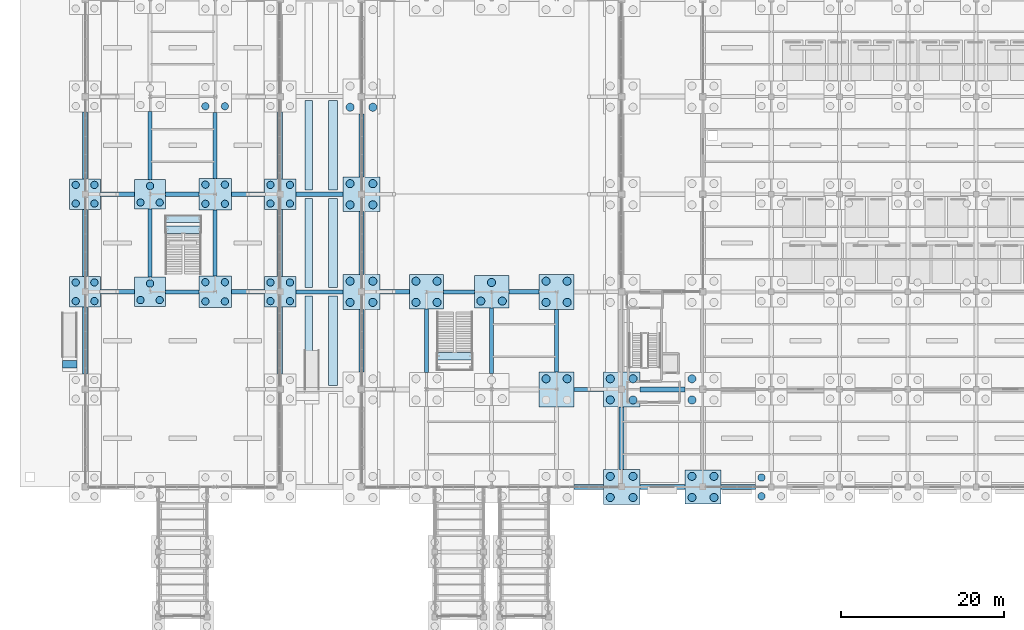
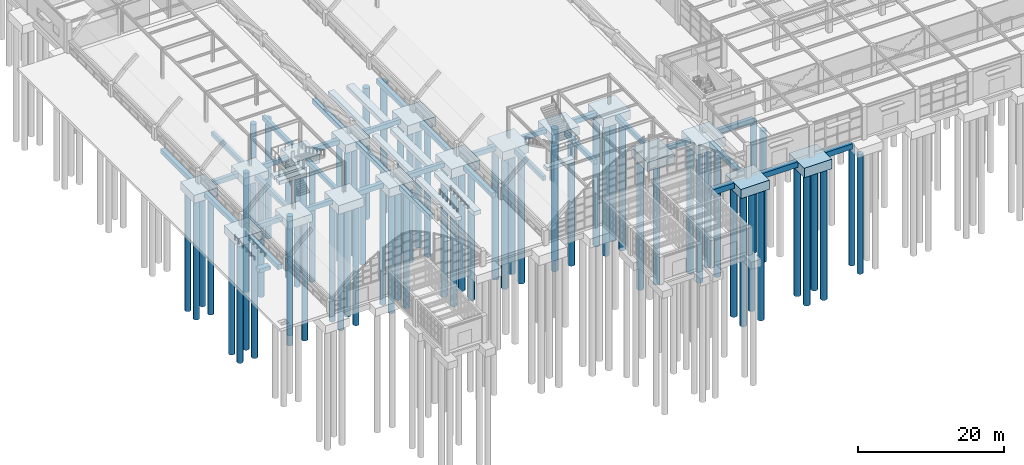
# One storey, part 2 of 129: 71 piles, 60 footings.
"""IFC4 building model written with IfcOpenShell, lengths in metres."""

from ifc_helpers import new_model, si_unit, direction, frame, origin, origin_2d, place, context, subcontext, project, spatial, rectangle, circle, extrude, material, material_profile, profile_set, type_object, element, save


model = new_model("IFC4")

# Units and contexts
model_context = context("Model", 3, precision=1e-05, world=origin(), true_north=direction((0.0, 1.0)))
body_context = subcontext(model_context, "Body", "Model", "MODEL_VIEW")
ifc_project = project(units=[si_unit("LENGTHUNIT", "METRE"), si_unit("AREAUNIT", "SQUARE_METRE"), si_unit("VOLUMEUNIT", "CUBIC_METRE"), si_unit("PLANEANGLEUNIT", "RADIAN"), si_unit("MASSUNIT", "GRAM", prefix="KILO")], contexts=[model_context])

# Site, building, storey
site_placement = place(None, origin())
site = spatial("IfcSite", under=ifc_project, at=site_placement, CompositionType="ELEMENT")
building_placement = place(site_placement, origin())
building = spatial("IfcBuilding", under=site, at=building_placement, Name="Sitalva Quay Ferry Terminal", CompositionType="ELEMENT")
storey_placement = place(building_placement, origin())
storey = spatial("IfcBuildingStorey", under=building, at=storey_placement, Name="L01", CompositionType="ELEMENT", Elevation=0.0)

# Footings
ifc_material_1 = material(Name="Concrete C35/45", Category="concrete")
ifc_material_profile_1 = material_profile(ifc_material_1, rectangle(XDim=0.5, YDim=0.75, at=origin_2d()), Name="RC500x750")
ifc_profile_set_1 = profile_set([ifc_material_profile_1], Name="Concrete C35/45")
footing_type_1 = type_object("IfcFootingType", Name="FootingBeam_500x750", PredefinedType="FOOTING_BEAM", material=ifc_profile_set_1)
footing_1_placement = place(storey_placement, frame((68.14990234375, 18.0, -0.824951171875), z_axis=(1.0, 0.0, 0.0), x_axis=(0.0, 1.0, 0.0)))
element("IfcFooting", 1, at=footing_1_placement, inside=storey, type_object=footing_type_1, Name="Foundation tie beam FBR1-X-031", PredefinedType="FOOTING_BEAM", context=body_context, shape_type="SweptSolid", body=[
    extrude(rectangle(XDim=0.5, YDim=0.75, at=origin_2d()), origin(), (0.0, 0.0, 1.0), 3.60009765625),
])
footing_2_placement = place(storey_placement, frame((17.925048828125, 30.0, -0.824951171875), z_axis=(1.0, 0.0, 0.0), x_axis=(0.0, 1.0, 0.0)))
element("IfcFooting", 2, at=footing_2_placement, inside=storey, type_object=footing_type_1, Name="Foundation tie beam FBR1-X-045", PredefinedType="FOOTING_BEAM", context=body_context, shape_type="SweptSolid", body=[
    extrude(rectangle(XDim=0.5, YDim=0.75, at=origin_2d()), origin(), (0.0, 0.0, 1.0), 4.074951171875),
])
footing_3_placement = place(storey_placement, frame((33.949951171875, 30.0, -0.824951171875), z_axis=(1.0, 0.0, 0.0), x_axis=(0.0, 1.0, 0.0)))
element("IfcFooting", 3, at=footing_3_placement, inside=storey, type_object=footing_type_1, Name="Foundation tie beam FBR1-X-047", PredefinedType="FOOTING_BEAM", context=body_context, shape_type="SweptSolid", body=[
    extrude(rectangle(XDim=0.5, YDim=0.75, at=origin_2d()), origin(), (0.0, 0.0, 1.0), 5.800048828125),
])
footing_4_placement = place(storey_placement, frame((52.10009765625, 30.0, -0.824951171875), z_axis=(1.0, 0.0, 0.0), x_axis=(0.0, 1.0, 0.0)))
element("IfcFooting", 4, at=footing_4_placement, inside=storey, type_object=footing_type_1, Name="Foundation tie beam FBR1-X-049", PredefinedType="FOOTING_BEAM", context=body_context, shape_type="SweptSolid", body=[
    extrude(rectangle(XDim=0.5, YDim=0.75, at=origin_2d()), origin(), (0.0, 0.0, 1.0), 3.77490234375),
])
footing_5_placement = place(storey_placement, frame((17.925048828125, 42.0, -0.824951171875), z_axis=(1.0, 0.0, 0.0), x_axis=(0.0, 1.0, 0.0)))
element("IfcFooting", 5, at=footing_5_placement, inside=storey, type_object=footing_type_1, Name="Foundation tie beam FBR1-X-065", PredefinedType="FOOTING_BEAM", context=body_context, shape_type="SweptSolid", body=[
    extrude(rectangle(XDim=0.5, YDim=0.75, at=origin_2d()), origin(), (0.0, 0.0, 1.0), 4.074951171875),
])
footing_6_placement = place(storey_placement, frame((33.949951171875, 42.0, -0.824951171875), z_axis=(1.0, 0.0, 0.0), x_axis=(0.0, 1.0, 0.0)))
element("IfcFooting", 6, at=footing_6_placement, inside=storey, type_object=footing_type_1, Name="Foundation tie beam FBR1-X-067", PredefinedType="FOOTING_BEAM", context=body_context, shape_type="SweptSolid", body=[
    extrude(rectangle(XDim=0.5, YDim=0.75, at=origin_2d()), origin(), (0.0, 0.0, 1.0), 5.800048828125),
])
for number, where, z_axis, x_axis, name in (
    (7, (16.0, 31.800048828125, -0.824951171875), (0.0, 1.0, 0.0), (-1.0, 0.0, 0.0), "Foundation tie beam FBR1-Y-218"),
    (8, (16.0, 43.800048828125, -0.824951171875), (0.0, 1.0, 0.0), (-1.0, 0.0, 0.0), "Foundation tie beam FBR1-Y-219"),
):
    element("IfcFooting", number, at=place(storey_placement, frame(where, z_axis=z_axis, x_axis=x_axis)), inside=storey, type_object=footing_type_1, Name=name, PredefinedType="FOOTING_BEAM", context=body_context, shape_type="SweptSolid", body=[
        extrude(rectangle(XDim=0.5, YDim=0.75, at=origin_2d()), origin(), (0.0, 0.0, 1.0), 8.39990234375),
    ])
for number, where, z_axis, x_axis, name in (
    (9, (24.0, 31.949951171875, -0.824951171875), (0.0, 1.0, 0.0), (-1.0, 0.0, 0.0), "Foundation tie beam FBR1-Y-228"),
    (10, (24.0, 43.949951171875, -0.824951171875), (0.0, 1.0, 0.0), (-1.0, 0.0, 0.0), "Foundation tie beam FBR1-Y-229"),
):
    element("IfcFooting", number, at=place(storey_placement, frame(where, z_axis=z_axis, x_axis=x_axis)), inside=storey, type_object=footing_type_1, Name=name, PredefinedType="FOOTING_BEAM", context=body_context, shape_type="SweptSolid", body=[
        extrude(rectangle(XDim=0.5, YDim=0.75, at=origin_2d()), origin(), (0.0, 0.0, 1.0), 8.10009765625),
    ])
footing_7_placement = place(storey_placement, frame((50.0, 20.10009765625, -0.824951171875), z_axis=(0.0, 1.0, 0.0), x_axis=(-1.0, 0.0, 0.0)))
element("IfcFooting", 11, at=footing_7_placement, inside=storey, type_object=footing_type_1, Name="Foundation tie beam FBR1-Y-257", PredefinedType="FOOTING_BEAM", context=body_context, shape_type="SweptSolid", body=[
    extrude(rectangle(XDim=0.5, YDim=0.75, at=origin_2d()), origin(), (0.0, 0.0, 1.0), 7.7998046875),
])
footing_8_placement = place(storey_placement, frame((58.0, 19.97509765625, -0.824951171875), z_axis=(0.0, 1.0, 0.0), x_axis=(-1.0, 0.0, 0.0)))
element("IfcFooting", 12, at=footing_8_placement, inside=storey, type_object=footing_type_1, Name="Foundation tie beam FBR1-Y-266", PredefinedType="FOOTING_BEAM", context=body_context, shape_type="SweptSolid", body=[
    extrude(rectangle(XDim=0.5, YDim=0.75, at=origin_2d()), origin(), (0.0, 0.0, 1.0), 8.0498046875),
])
footing_9_placement = place(storey_placement, frame((66.0, 20.14990234375, -0.824951171875), z_axis=(0.0, 1.0, 0.0), x_axis=(-1.0, 0.0, 0.0)))
element("IfcFooting", 13, at=footing_9_placement, inside=storey, type_object=footing_type_1, Name="Foundation tie beam FBR1-Y-275", PredefinedType="FOOTING_BEAM", context=body_context, shape_type="SweptSolid", body=[
    extrude(rectangle(XDim=0.5, YDim=0.75, at=origin_2d()), origin(), (0.0, 0.0, 1.0), 7.7001953125),
])
ifc_material_2 = material(Name="Concrete C35/45", Category="concrete")
ifc_material_profile_2 = material_profile(ifc_material_2, rectangle(XDim=0.60009765625, YDim=0.800048828125, at=origin_2d()), Name="RC600x800")
ifc_profile_set_2 = profile_set([ifc_material_profile_2], Name="Concrete C35/45")
footing_type_2 = type_object("IfcFootingType", Name="FootingBeam_600x800", PredefinedType="FOOTING_BEAM", material=ifc_profile_set_2)
footing_10_placement = place(storey_placement, frame((76.25, 18.0, -0.85009765625), z_axis=(1.0, 0.0, 0.0), x_axis=(0.0, 1.0, 0.0)))
element("IfcFooting", 14, at=footing_10_placement, inside=storey, type_object=footing_type_2, Name="Foundation tie beam FBR1-X-032", PredefinedType="FOOTING_BEAM", context=body_context, shape_type="SweptSolid", body=[
    extrude(rectangle(XDim=0.60009765625, YDim=0.800048828125, at=origin_2d()), origin(), (0.0, 0.0, 1.0), 5.550048828125),
])
footing_11_placement = place(storey_placement, frame((9.89990234375, 30.0, -0.85009765625), z_axis=(1.0, 0.0, 0.0), x_axis=(0.0, 1.0, 0.0)))
element("IfcFooting", 15, at=footing_11_placement, inside=storey, type_object=footing_type_2, Name="Foundation tie beam FBR1-X-044", PredefinedType="FOOTING_BEAM", context=body_context, shape_type="SweptSolid", body=[
    extrude(rectangle(XDim=0.60009765625, YDim=0.800048828125, at=origin_2d()), origin(), (0.0, 0.0, 1.0), 4.175048828125),
])
footing_12_placement = place(storey_placement, frame((26.0, 30.0, -0.85009765625), z_axis=(1.0, 0.0, 0.0), x_axis=(0.0, 1.0, 0.0)))
element("IfcFooting", 16, at=footing_12_placement, inside=storey, type_object=footing_type_2, Name="Foundation tie beam FBR1-X-046", PredefinedType="FOOTING_BEAM", context=body_context, shape_type="SweptSolid", body=[
    extrude(rectangle(XDim=0.60009765625, YDim=0.800048828125, at=origin_2d()), origin(), (0.0, 0.0, 1.0), 4.050048828125),
])
footing_13_placement = place(storey_placement, frame((44.25, 30.0, -0.85009765625), z_axis=(1.0, 0.0, 0.0), x_axis=(0.0, 1.0, 0.0)))
element("IfcFooting", 17, at=footing_13_placement, inside=storey, type_object=footing_type_2, Name="Foundation tie beam FBR1-X-048", PredefinedType="FOOTING_BEAM", context=body_context, shape_type="SweptSolid", body=[
    extrude(rectangle(XDim=0.60009765625, YDim=0.800048828125, at=origin_2d()), origin(), (0.0, 0.0, 1.0), 3.64990234375),
])
footing_14_placement = place(storey_placement, frame((60.125, 30.0, -0.85009765625), z_axis=(1.0, 0.0, 0.0), x_axis=(0.0, 1.0, 0.0)))
element("IfcFooting", 18, at=footing_14_placement, inside=storey, type_object=footing_type_2, Name="Foundation tie beam FBR1-X-050", PredefinedType="FOOTING_BEAM", context=body_context, shape_type="SweptSolid", body=[
    extrude(rectangle(XDim=0.60009765625, YDim=0.800048828125, at=origin_2d()), origin(), (0.0, 0.0, 1.0), 3.72509765625),
])
footing_15_placement = place(storey_placement, frame((9.89990234375, 42.0, -0.85009765625), z_axis=(1.0, 0.0, 0.0), x_axis=(0.0, 1.0, 0.0)))
element("IfcFooting", 19, at=footing_15_placement, inside=storey, type_object=footing_type_2, Name="Foundation tie beam FBR1-X-064", PredefinedType="FOOTING_BEAM", context=body_context, shape_type="SweptSolid", body=[
    extrude(rectangle(XDim=0.60009765625, YDim=0.800048828125, at=origin_2d()), origin(), (0.0, 0.0, 1.0), 4.175048828125),
])
footing_16_placement = place(storey_placement, frame((26.0, 42.0, -0.85009765625), z_axis=(1.0, 0.0, 0.0), x_axis=(0.0, 1.0, 0.0)))
element("IfcFooting", 20, at=footing_16_placement, inside=storey, type_object=footing_type_2, Name="Foundation tie beam FBR1-X-066", PredefinedType="FOOTING_BEAM", context=body_context, shape_type="SweptSolid", body=[
    extrude(rectangle(XDim=0.60009765625, YDim=0.800048828125, at=origin_2d()), origin(), (0.0, 0.0, 1.0), 4.050048828125),
])
for number, where, z_axis, x_axis, name in (
    (21, (8.0, 19.89990234375, -0.85009765625), (0.0, 1.0, 0.0), (-1.0, 0.0, 0.0), "Foundation tie beam FBR1-Y-210"),
    (22, (8.0, 31.89990234375, -0.85009765625), (0.0, 1.0, 0.0), (-1.0, 0.0, 0.0), "Foundation tie beam FBR1-Y-211"),
    (23, (8.0, 43.89990234375, -0.85009765625), (0.0, 1.0, 0.0), (-1.0, 0.0, 0.0), "Foundation tie beam FBR1-Y-212"),
    (24, (32.0, 19.89990234375, -0.85009765625), (0.0, 1.0, 0.0), (-1.0, 0.0, 0.0), "Foundation tie beam FBR1-Y-237"),
    (25, (32.0, 31.89990234375, -0.85009765625), (0.0, 1.0, 0.0), (-1.0, 0.0, 0.0), "Foundation tie beam FBR1-Y-238"),
    (26, (32.0, 43.89990234375, -0.85009765625), (0.0, 1.0, 0.0), (-1.0, 0.0, 0.0), "Foundation tie beam FBR1-Y-239"),
):
    element("IfcFooting", number, at=place(storey_placement, frame(where, z_axis=z_axis, x_axis=x_axis)), inside=storey, type_object=footing_type_2, Name=name, PredefinedType="FOOTING_BEAM", context=body_context, shape_type="SweptSolid", body=[
        extrude(rectangle(XDim=0.60009765625, YDim=0.800048828125, at=origin_2d()), origin(), (0.0, 0.0, 1.0), 8.2001953125),
    ])
for number, where, z_axis, x_axis, name in (
    (27, (42.0, 20.14990234375, -0.85009765625), (0.0, 1.0, 0.0), (-1.0, 0.0, 0.0), "Foundation tie beam FBR1-Y-247"),
    (28, (42.0, 32.14990234375, -0.85009765625), (0.0, 1.0, 0.0), (-1.0, 0.0, 0.0), "Foundation tie beam FBR1-Y-248"),
    (29, (42.0, 44.14990234375, -0.85009765625), (0.0, 1.0, 0.0), (-1.0, 0.0, 0.0), "Foundation tie beam FBR1-Y-249"),
    (30, (74.0, 8.14990234375, -0.85009765625), (0.0, 1.0, 0.0), (-1.0, 0.0, 0.0), "Foundation tie beam FBR1-Y-281"),
):
    element("IfcFooting", number, at=place(storey_placement, frame(where, z_axis=z_axis, x_axis=x_axis)), inside=storey, type_object=footing_type_2, Name=name, PredefinedType="FOOTING_BEAM", context=body_context, shape_type="SweptSolid", body=[
        extrude(rectangle(XDim=0.60009765625, YDim=0.800048828125, at=origin_2d()), origin(), (0.0, 0.0, 1.0), 7.7001953125),
    ])
ifc_material_3 = material(Name="Concrete C35/45", Category="concrete")
ifc_material_profile_3 = material_profile(ifc_material_3, rectangle(XDim=0.64990234375, YDim=0.89990234375, at=origin_2d()), Name="RC650x900")
ifc_profile_set_3 = profile_set([ifc_material_profile_3], Name="Concrete C35/45")
footing_type_3 = type_object("IfcFootingType", Name="FootingBeam_650x900", PredefinedType="FOOTING_BEAM", material=ifc_profile_set_3)
footing_17_placement = place(storey_placement, frame((68.14990234375, 6.0, -0.89990234375), z_axis=(1.0, 0.0, 0.0), x_axis=(0.0, 1.0, 0.0)))
element("IfcFooting", 31, at=footing_17_placement, inside=storey, type_object=footing_type_3, Name="Foundation tie beam FBR1-X-014", PredefinedType="FOOTING_BEAM", context=body_context, shape_type="SweptSolid", body=[
    extrude(rectangle(XDim=0.64990234375, YDim=0.89990234375, at=origin_2d()), origin(), (0.0, 0.0, 1.0), 3.60009765625),
])
footing_18_placement = place(storey_placement, frame((76.25, 6.0, -0.89990234375), z_axis=(1.0, 0.0, 0.0), x_axis=(0.0, 1.0, 0.0)))
element("IfcFooting", 32, at=footing_18_placement, inside=storey, type_object=footing_type_3, Name="Foundation tie beam FBR1-X-015", PredefinedType="FOOTING_BEAM", context=body_context, shape_type="SweptSolid", body=[
    extrude(rectangle(XDim=0.64990234375, YDim=0.89990234375, at=origin_2d()), origin(), (0.0, 0.0, 1.0), 5.550048828125),
])
footing_19_placement = place(storey_placement, frame((86.199951171875, 6.0, -0.89990234375), z_axis=(1.0, 0.0, 0.0), x_axis=(0.0, 1.0, 0.0)))
element("IfcFooting", 33, at=footing_19_placement, inside=storey, type_object=footing_type_3, Name="Foundation tie beam FBR1-X-016", PredefinedType="FOOTING_BEAM", context=body_context, shape_type="SweptSolid", body=[
    extrude(rectangle(XDim=0.64990234375, YDim=0.89990234375, at=origin_2d()), origin(), (0.0, 0.0, 1.0), 4.25),
])
ifc_material_4 = material(Name="Concrete C35/45", Category="concrete")
footing_type_4 = type_object("IfcFootingType", Name="PileCap_3P_D1000_A", PredefinedType="PILE_CAP", material=ifc_material_4)
footing_20_placement = place(storey_placement, frame((58.0, 30.0, -1.869873046875), z_axis=(0.0, 0.0, 1.0), x_axis=(1.0, 0.0, 0.0)))
element("IfcFooting", 34, at=footing_20_placement, inside=storey, type_object=footing_type_4, Name="Pile cap PC-18 at 8E", PredefinedType="PILE_CAP", context=body_context, shape_type="SweptSolid", body=[
    extrude(rectangle(XDim=4.25, YDim=3.949951171875, at=origin_2d()), origin(), (0.0, 0.0, 1.0), 1.419921875),
])
ifc_material_5 = material(Name="Concrete C35/45", Category="concrete")
footing_type_5 = type_object("IfcFootingType", Name="PileCap_3P_D900_A", PredefinedType="PILE_CAP", material=ifc_material_5)
for number, where, z_axis, x_axis, name in (
    (35, (16.0, 30.0, -1.75), (0.0, 0.0, 1.0), (1.0, 0.0, 0.0), "Pile cap PC-17 at 3E"),
    (36, (16.0, 42.0, -1.75), (0.0, 0.0, 1.0), (1.0, 0.0, 0.0), "Pile cap PC-17 at 3F"),
):
    element("IfcFooting", number, at=place(storey_placement, frame(where, z_axis=z_axis, x_axis=x_axis)), inside=storey, type_object=footing_type_5, Name=name, PredefinedType="PILE_CAP", context=body_context, shape_type="SweptSolid", body=[
        extrude(rectangle(XDim=3.85009765625, YDim=3.60009765625, at=origin_2d()), origin(), (0.0, 0.0, 1.0), 1.300048828125),
    ])
ifc_material_6 = material(Name="Concrete C35/45", Category="concrete")
footing_type_6 = type_object("IfcFootingType", Name="PileCap_4P_D1000_A", PredefinedType="PILE_CAP", material=ifc_material_6)
footing_21_placement = place(storey_placement, frame((50.0, 30.0, -1.949951171875), z_axis=(0.0, 0.0, 1.0), x_axis=(1.0, 0.0, 0.0)))
element("IfcFooting", 37, at=footing_21_placement, inside=storey, type_object=footing_type_6, Name="Pile cap PC-03 at 7E", PredefinedType="PILE_CAP", context=body_context, shape_type="SweptSolid", body=[
    extrude(rectangle(XDim=4.199951171875, YDim=4.199951171875, at=origin_2d()), origin(), (0.0, 0.0, 1.0), 1.5),
])
ifc_material_7 = material(Name="Concrete C35/45", Category="concrete")
footing_type_7 = type_object("IfcFootingType", Name="PileCap_4P_D1000_B", PredefinedType="PILE_CAP", material=ifc_material_7)
for number, where, z_axis, x_axis, name in (
    (38, (66.0, 18.0, -2.0), (0.0, 0.0, 1.0), (1.0, 0.0, 0.0), "Pile cap PC-04 at 9D"),
    (39, (66.0, 30.0, -2.0), (0.0, 0.0, 1.0), (1.0, 0.0, 0.0), "Pile cap PC-04 at 9E"),
):
    element("IfcFooting", number, at=place(storey_placement, frame(where, z_axis=z_axis, x_axis=x_axis)), inside=storey, type_object=footing_type_7, Name=name, PredefinedType="PILE_CAP", context=body_context, shape_type="SweptSolid", body=[
        extrude(rectangle(XDim=4.300048828125, YDim=4.300048828125, at=origin_2d()), origin(), (0.0, 0.0, 1.0), 1.550048828125),
    ])
ifc_material_8 = material(Name="Concrete C35/45", Category="concrete")
footing_type_8 = type_object("IfcFootingType", Name="PileCap_4P_D1000_C", PredefinedType="PILE_CAP", material=ifc_material_8)
footing_22_placement = place(storey_placement, frame((84.0, 6.0, -2.050048828125), z_axis=(0.0, 0.0, 1.0), x_axis=(1.0, 0.0, 0.0)))
element("IfcFooting", 40, at=footing_22_placement, inside=storey, type_object=footing_type_8, Name="Pile cap PC-05 at 11C", PredefinedType="PILE_CAP", context=body_context, shape_type="SweptSolid", body=[
    extrude(rectangle(XDim=4.39990234375, YDim=4.199951171875, at=origin_2d()), origin(), (0.0, 0.0, 1.0), 1.60009765625),
])
ifc_material_9 = material(Name="Concrete C35/45", Category="concrete")
footing_type_9 = type_object("IfcFootingType", Name="PileCap_4P_D1000_V1", PredefinedType="PILE_CAP", material=ifc_material_9)
for number, where, z_axis, x_axis, name in (
    (41, (74.0, 6.0, -2.0), (0.0, 0.0, 1.0), (1.0, 0.0, 0.0), "Pile cap PC-06 at 10C"),
    (42, (74.0, 18.0, -2.0), (0.0, 0.0, 1.0), (1.0, 0.0, 0.0), "Pile cap PC-06 at 10D"),
    (43, (42.0, 30.0, -2.0), (0.0, 0.0, 1.0), (1.0, 0.0, 0.0), "Pile cap PC-06 at 6E"),
    (44, (42.0, 42.0, -2.0), (0.0, 0.0, 1.0), (1.0, 0.0, 0.0), "Pile cap PC-06 at 6F"),
):
    element("IfcFooting", number, at=place(storey_placement, frame(where, z_axis=z_axis, x_axis=x_axis)), inside=storey, type_object=footing_type_9, Name=name, PredefinedType="PILE_CAP", context=body_context, shape_type="SweptSolid", body=[
        extrude(rectangle(XDim=4.5, YDim=4.300048828125, at=origin_2d()), origin(), (0.0, 0.0, 1.0), 1.550048828125),
    ])
ifc_material_10 = material(Name="Concrete C35/45", Category="concrete")
footing_type_10 = type_object("IfcFootingType", Name="PileCap_4P_D900_A", PredefinedType="PILE_CAP", material=ifc_material_10)
for number, where, z_axis, x_axis, name in (
    (45, (8.0, 30.0, -1.800048828125), (0.0, 0.0, 1.0), (1.0, 0.0, 0.0), "Pile cap PC-07 at 2E"),
    (46, (8.0, 42.0, -1.800048828125), (0.0, 0.0, 1.0), (1.0, 0.0, 0.0), "Pile cap PC-07 at 2F"),
):
    element("IfcFooting", number, at=place(storey_placement, frame(where, z_axis=z_axis, x_axis=x_axis)), inside=storey, type_object=footing_type_10, Name=name, PredefinedType="PILE_CAP", context=body_context, shape_type="SweptSolid", body=[
        extrude(rectangle(XDim=3.800048828125, YDim=3.800048828125, at=origin_2d()), origin(), (0.0, 0.0, 1.0), 1.35009765625),
    ])
ifc_material_11 = material(Name="Concrete C35/45", Category="concrete")
footing_type_11 = type_object("IfcFootingType", Name="PileCap_4P_D900_B", PredefinedType="PILE_CAP", material=ifc_material_11)
for number, where, z_axis, x_axis, name in (
    (47, (32.0, 30.0, -1.849853515625), (0.0, 0.0, 1.0), (1.0, 0.0, 0.0), "Pile cap PC-08 at 5E"),
    (48, (32.0, 42.0, -1.849853515625), (0.0, 0.0, 1.0), (1.0, 0.0, 0.0), "Pile cap PC-08 at 5F"),
):
    element("IfcFooting", number, at=place(storey_placement, frame(where, z_axis=z_axis, x_axis=x_axis)), inside=storey, type_object=footing_type_11, Name=name, PredefinedType="PILE_CAP", context=body_context, shape_type="SweptSolid", body=[
        extrude(rectangle(XDim=3.89990234375, YDim=3.800048828125, at=origin_2d()), origin(), (0.0, 0.0, 1.0), 1.39990234375),
    ])
ifc_material_12 = material(Name="Concrete C35/45", Category="concrete")
footing_type_12 = type_object("IfcFootingType", Name="PileCap_4P_D900_C", PredefinedType="PILE_CAP", material=ifc_material_12)
for number, where, z_axis, x_axis, name in (
    (49, (24.0, 30.0, -1.89990234375), (0.0, 0.0, 1.0), (1.0, 0.0, 0.0), "Pile cap PC-09 at 4E"),
    (50, (24.0, 42.0, -1.89990234375), (0.0, 0.0, 1.0), (1.0, 0.0, 0.0), "Pile cap PC-09 at 4F"),
):
    element("IfcFooting", number, at=place(storey_placement, frame(where, z_axis=z_axis, x_axis=x_axis)), inside=storey, type_object=footing_type_12, Name=name, PredefinedType="PILE_CAP", context=body_context, shape_type="SweptSolid", body=[
        extrude(rectangle(XDim=4.0, YDim=3.89990234375, at=origin_2d()), origin(), (0.0, 0.0, 1.0), 1.449951171875),
    ])

# Piles
ifc_material_13 = material(Name="Concrete C35/45", Category="concrete")
ifc_material_profile_4 = material_profile(ifc_material_13, circle(Radius=0.5, at=origin_2d()), Name="PILE-D1000")
ifc_profile_set_4 = profile_set([ifc_material_profile_4], Name="Concrete C35/45")
pile_type_1 = type_object("IfcPileType", Name="Pile_Bored_D1000", PredefinedType="BORED", material=ifc_profile_set_4)
for number, where, z_axis, x_axis, name in (
    (51, (72.60009765625, 4.699951171875, -1.89990234375), (0.0, 0.0, -1.0), (1.0, 0.0, 0.0), "Bored pile 10C-P1"),
    (52, (75.39990234375, 4.699951171875, -1.89990234375), (0.0, 0.0, -1.0), (1.0, 0.0, 0.0), "Bored pile 10C-P2"),
    (53, (72.60009765625, 7.300048828125, -1.89990234375), (0.0, 0.0, -1.0), (1.0, 0.0, 0.0), "Bored pile 10C-P3"),
    (54, (75.39990234375, 7.300048828125, -1.89990234375), (0.0, 0.0, -1.0), (1.0, 0.0, 0.0), "Bored pile 10C-P4"),
    (55, (82.64990234375, 4.699951171875, -1.949951171875), (0.0, 0.0, -1.0), (1.0, 0.0, 0.0), "Bored pile 11C-P1"),
    (56, (85.35009765625, 4.699951171875, -1.949951171875), (0.0, 0.0, -1.0), (1.0, 0.0, 0.0), "Bored pile 11C-P2"),
    (57, (82.64990234375, 7.300048828125, -1.949951171875), (0.0, 0.0, -1.0), (1.0, 0.0, 0.0), "Bored pile 11C-P3"),
    (58, (85.35009765625, 7.300048828125, -1.949951171875), (0.0, 0.0, -1.0), (1.0, 0.0, 0.0), "Bored pile 11C-P4"),
    (59, (64.699951171875, 19.300048828125, -1.89990234375), (0.0, 0.0, -1.0), (1.0, 0.0, 0.0), "Bored pile 9D-P3"),
    (60, (67.300048828125, 19.300048828125, -1.89990234375), (0.0, 0.0, -1.0), (1.0, 0.0, 0.0), "Bored pile 9D-P4"),
    (61, (72.60009765625, 16.699951171875, -1.89990234375), (0.0, 0.0, -1.0), (1.0, 0.0, 0.0), "Bored pile 10D-P1"),
    (62, (75.39990234375, 16.699951171875, -1.89990234375), (0.0, 0.0, -1.0), (1.0, 0.0, 0.0), "Bored pile 10D-P2"),
    (63, (72.60009765625, 19.300048828125, -1.89990234375), (0.0, 0.0, -1.0), (1.0, 0.0, 0.0), "Bored pile 10D-P3"),
    (64, (75.39990234375, 19.300048828125, -1.89990234375), (0.0, 0.0, -1.0), (1.0, 0.0, 0.0), "Bored pile 10D-P4"),
    (65, (82.64990234375, 16.699951171875, -1.949951171875), (0.0, 0.0, -1.0), (1.0, 0.0, 0.0), "Bored pile 11D-P1"),
    (66, (82.64990234375, 19.300048828125, -1.949951171875), (0.0, 0.0, -1.0), (1.0, 0.0, 0.0), "Bored pile 11D-P3"),
    (67, (40.60009765625, 28.699951171875, -1.89990234375), (0.0, 0.0, -1.0), (1.0, 0.0, 0.0), "Bored pile 6E-P1"),
    (68, (43.39990234375, 28.699951171875, -1.89990234375), (0.0, 0.0, -1.0), (1.0, 0.0, 0.0), "Bored pile 6E-P2"),
    (69, (40.60009765625, 31.300048828125, -1.89990234375), (0.0, 0.0, -1.0), (1.0, 0.0, 0.0), "Bored pile 6E-P3"),
    (70, (43.39990234375, 31.300048828125, -1.89990234375), (0.0, 0.0, -1.0), (1.0, 0.0, 0.0), "Bored pile 6E-P4"),
    (71, (48.699951171875, 28.699951171875, -1.85009765625), (0.0, 0.0, -1.0), (1.0, 0.0, 0.0), "Bored pile 7E-P1"),
    (72, (51.300048828125, 28.699951171875, -1.85009765625), (0.0, 0.0, -1.0), (1.0, 0.0, 0.0), "Bored pile 7E-P2"),
    (73, (48.699951171875, 31.300048828125, -1.85009765625), (0.0, 0.0, -1.0), (1.0, 0.0, 0.0), "Bored pile 7E-P3"),
    (74, (51.300048828125, 31.300048828125, -1.85009765625), (0.0, 0.0, -1.0), (1.0, 0.0, 0.0), "Bored pile 7E-P4"),
    (75, (56.679931640625, 28.860107421875, -1.77001953125), (0.0, 0.0, -1.0), (1.0, 0.0, 0.0), "Bored pile 8E-P1"),
    (76, (59.320068359375, 28.860107421875, -1.77001953125), (0.0, 0.0, -1.0), (1.0, 0.0, 0.0), "Bored pile 8E-P2"),
    (77, (58.0, 31.139892578125, -1.77001953125), (0.0, 0.0, -1.0), (1.0, 0.0, 0.0), "Bored pile 8E-P3"),
    (78, (64.699951171875, 28.699951171875, -1.89990234375), (0.0, 0.0, -1.0), (1.0, 0.0, 0.0), "Bored pile 9E-P1"),
    (79, (67.300048828125, 28.699951171875, -1.89990234375), (0.0, 0.0, -1.0), (1.0, 0.0, 0.0), "Bored pile 9E-P2"),
    (80, (64.699951171875, 31.300048828125, -1.89990234375), (0.0, 0.0, -1.0), (1.0, 0.0, 0.0), "Bored pile 9E-P3"),
    (81, (67.300048828125, 31.300048828125, -1.89990234375), (0.0, 0.0, -1.0), (1.0, 0.0, 0.0), "Bored pile 9E-P4"),
    (82, (40.60009765625, 40.699951171875, -1.89990234375), (0.0, 0.0, -1.0), (1.0, 0.0, 0.0), "Bored pile 6F-P1"),
    (83, (43.39990234375, 40.699951171875, -1.89990234375), (0.0, 0.0, -1.0), (1.0, 0.0, 0.0), "Bored pile 6F-P2"),
    (84, (40.60009765625, 43.300048828125, -1.89990234375), (0.0, 0.0, -1.0), (1.0, 0.0, 0.0), "Bored pile 6F-P3"),
    (85, (43.39990234375, 43.300048828125, -1.89990234375), (0.0, 0.0, -1.0), (1.0, 0.0, 0.0), "Bored pile 6F-P4"),
    (86, (40.60009765625, 52.699951171875, -1.89990234375), (0.0, 0.0, -1.0), (1.0, 0.0, 0.0), "Bored pile 6G-P1"),
    (87, (43.39990234375, 52.699951171875, -1.89990234375), (0.0, 0.0, -1.0), (1.0, 0.0, 0.0), "Bored pile 6G-P2"),
):
    element("IfcPile", number, at=place(storey_placement, frame(where, z_axis=z_axis, x_axis=x_axis)), inside=storey, type_object=pile_type_1, Name=name, PredefinedType="BORED", context=body_context, shape_type="SweptSolid", body=[
        extrude(circle(Radius=0.5, at=origin_2d()), origin(), (0.0, 0.0, 1.0), 22.0),
    ])
ifc_material_14 = material(Name="Concrete C35/45", Category="concrete")
ifc_material_profile_5 = material_profile(ifc_material_14, circle(Radius=0.449951171875, at=origin_2d()), Name="PILE-D900")
ifc_profile_set_5 = profile_set([ifc_material_profile_5], Name="Concrete C35/45")
pile_type_2 = type_object("IfcPileType", Name="Pile_Bored_D900", PredefinedType="BORED", material=ifc_profile_set_5)
for number, where, z_axis, x_axis, name in (
    (88, (91.199951171875, 4.85009765625, -1.75), (0.0, 0.0, -1.0), (1.0, 0.0, 0.0), "Bored pile 12C-P1"),
    (89, (91.199951171875, 7.14990234375, -1.75), (0.0, 0.0, -1.0), (1.0, 0.0, 0.0), "Bored pile 12C-P3"),
    (90, (6.85009765625, 28.85009765625, -1.699951171875), (0.0, 0.0, -1.0), (1.0, 0.0, 0.0), "Bored pile 2E-P1"),
    (91, (9.14990234375, 28.85009765625, -1.699951171875), (0.0, 0.0, -1.0), (1.0, 0.0, 0.0), "Bored pile 2E-P2"),
    (92, (6.85009765625, 31.14990234375, -1.699951171875), (0.0, 0.0, -1.0), (1.0, 0.0, 0.0), "Bored pile 2E-P3"),
    (93, (9.14990234375, 31.14990234375, -1.699951171875), (0.0, 0.0, -1.0), (1.0, 0.0, 0.0), "Bored pile 2E-P4"),
    (94, (14.820068359375, 28.97998046875, -1.64990234375), (0.0, 0.0, -1.0), (1.0, 0.0, 0.0), "Bored pile 3E-P1"),
    (95, (17.179931640625, 28.97998046875, -1.64990234375), (0.0, 0.0, -1.0), (1.0, 0.0, 0.0), "Bored pile 3E-P2"),
    (96, (16.0, 31.02001953125, -1.64990234375), (0.0, 0.0, -1.0), (1.0, 0.0, 0.0), "Bored pile 3E-P3"),
    (97, (22.800048828125, 28.820068359375, -1.800048828125), (0.0, 0.0, -1.0), (1.0, 0.0, 0.0), "Bored pile 4E-P1"),
    (98, (25.199951171875, 28.820068359375, -1.800048828125), (0.0, 0.0, -1.0), (1.0, 0.0, 0.0), "Bored pile 4E-P2"),
    (99, (22.800048828125, 31.179931640625, -1.800048828125), (0.0, 0.0, -1.0), (1.0, 0.0, 0.0), "Bored pile 4E-P3"),
    (100, (25.199951171875, 31.179931640625, -1.800048828125), (0.0, 0.0, -1.0), (1.0, 0.0, 0.0), "Bored pile 4E-P4"),
    (101, (30.800048828125, 28.85009765625, -1.75), (0.0, 0.0, -1.0), (1.0, 0.0, 0.0), "Bored pile 5E-P1"),
    (102, (33.199951171875, 28.85009765625, -1.75), (0.0, 0.0, -1.0), (1.0, 0.0, 0.0), "Bored pile 5E-P2"),
    (103, (30.800048828125, 31.14990234375, -1.75), (0.0, 0.0, -1.0), (1.0, 0.0, 0.0), "Bored pile 5E-P3"),
    (104, (33.199951171875, 31.14990234375, -1.75), (0.0, 0.0, -1.0), (1.0, 0.0, 0.0), "Bored pile 5E-P4"),
    (105, (6.85009765625, 40.85009765625, -1.699951171875), (0.0, 0.0, -1.0), (1.0, 0.0, 0.0), "Bored pile 2F-P1"),
    (106, (9.14990234375, 40.85009765625, -1.699951171875), (0.0, 0.0, -1.0), (1.0, 0.0, 0.0), "Bored pile 2F-P2"),
    (107, (6.85009765625, 43.14990234375, -1.699951171875), (0.0, 0.0, -1.0), (1.0, 0.0, 0.0), "Bored pile 2F-P3"),
    (108, (9.14990234375, 43.14990234375, -1.699951171875), (0.0, 0.0, -1.0), (1.0, 0.0, 0.0), "Bored pile 2F-P4"),
    (109, (14.820068359375, 40.97998046875, -1.64990234375), (0.0, 0.0, -1.0), (1.0, 0.0, 0.0), "Bored pile 3F-P1"),
    (110, (17.179931640625, 40.97998046875, -1.64990234375), (0.0, 0.0, -1.0), (1.0, 0.0, 0.0), "Bored pile 3F-P2"),
    (111, (16.0, 43.02001953125, -1.64990234375), (0.0, 0.0, -1.0), (1.0, 0.0, 0.0), "Bored pile 3F-P3"),
    (112, (22.800048828125, 40.820068359375, -1.800048828125), (0.0, 0.0, -1.0), (1.0, 0.0, 0.0), "Bored pile 4F-P1"),
    (113, (25.199951171875, 40.820068359375, -1.800048828125), (0.0, 0.0, -1.0), (1.0, 0.0, 0.0), "Bored pile 4F-P2"),
    (114, (22.800048828125, 43.179931640625, -1.800048828125), (0.0, 0.0, -1.0), (1.0, 0.0, 0.0), "Bored pile 4F-P3"),
    (115, (25.199951171875, 43.179931640625, -1.800048828125), (0.0, 0.0, -1.0), (1.0, 0.0, 0.0), "Bored pile 4F-P4"),
    (116, (30.800048828125, 40.85009765625, -1.75), (0.0, 0.0, -1.0), (1.0, 0.0, 0.0), "Bored pile 5F-P1"),
    (117, (33.199951171875, 40.85009765625, -1.75), (0.0, 0.0, -1.0), (1.0, 0.0, 0.0), "Bored pile 5F-P2"),
    (118, (30.800048828125, 43.14990234375, -1.75), (0.0, 0.0, -1.0), (1.0, 0.0, 0.0), "Bored pile 5F-P3"),
    (119, (33.199951171875, 43.14990234375, -1.75), (0.0, 0.0, -1.0), (1.0, 0.0, 0.0), "Bored pile 5F-P4"),
    (120, (22.800048828125, 52.820068359375, -1.800048828125), (0.0, 0.0, -1.0), (1.0, 0.0, 0.0), "Bored pile 4G-P1"),
    (121, (25.199951171875, 52.820068359375, -1.800048828125), (0.0, 0.0, -1.0), (1.0, 0.0, 0.0), "Bored pile 4G-P2"),
):
    element("IfcPile", number, at=place(storey_placement, frame(where, z_axis=z_axis, x_axis=x_axis)), inside=storey, type_object=pile_type_2, Name=name, PredefinedType="BORED", context=body_context, shape_type="SweptSolid", body=[
        extrude(circle(Radius=0.449951171875, at=origin_2d()), origin(), (0.0, 0.0, 1.0), 20.0),
    ])

# Footings
ifc_material_15 = material(Name="Concrete C35/45", Category="concrete")
ifc_material_profile_6 = material_profile(ifc_material_15, rectangle(XDim=1.10009765625, YDim=0.699951171875, at=origin_2d()), Name="RC1100x700")
ifc_profile_set_6 = profile_set([ifc_material_profile_6], Name="Concrete C35/45")
footing_type_13 = type_object("IfcFootingType", Name="StripFooting_1100x700", PredefinedType="STRIP_FOOTING", material=ifc_profile_set_6)
for number, where, z_axis, x_axis, name in (
    (122, (38.5, 18.5, -1.60009765625), (0.0, 1.0, 0.0), (-1.0, 0.0, 0.0), "Monsoon court edge strip footing SFR1-04"),
    (123, (38.5, 30.5, -1.60009765625), (0.0, 1.0, 0.0), (-1.0, 0.0, 0.0), "Monsoon court edge strip footing SFR1-06"),
    (124, (38.5, 42.5, -1.60009765625), (0.0, 1.0, 0.0), (-1.0, 0.0, 0.0), "Monsoon court edge strip footing SFR1-08"),
):
    element("IfcFooting", number, at=place(storey_placement, frame(where, z_axis=z_axis, x_axis=x_axis)), inside=storey, type_object=footing_type_13, Name=name, PredefinedType="STRIP_FOOTING", context=body_context, shape_type="SweptSolid", body=[
        extrude(rectangle(XDim=1.10009765625, YDim=0.699951171875, at=origin_2d()), origin(), (0.0, 0.0, 1.0), 11.0),
    ])
ifc_material_16 = material(Name="Concrete C35/45", Category="concrete")
ifc_material_profile_7 = material_profile(ifc_material_16, rectangle(XDim=0.89990234375, YDim=0.60009765625, at=origin_2d()), Name="RC900x600")
ifc_profile_set_7 = profile_set([ifc_material_profile_7], Name="Concrete C35/45")
footing_type_14 = type_object("IfcFootingType", Name="StripFooting_900x600", PredefinedType="STRIP_FOOTING", material=ifc_profile_set_7)
for number, where, z_axis, x_axis, name in (
    (125, (35.5, 18.5, -1.550048828125), (0.0, 1.0, 0.0), (-1.0, 0.0, 0.0), "Monsoon court edge strip footing SFR1-03"),
    (126, (35.5, 30.5, -1.550048828125), (0.0, 1.0, 0.0), (-1.0, 0.0, 0.0), "Monsoon court edge strip footing SFR1-05"),
    (127, (35.5, 42.5, -1.550048828125), (0.0, 1.0, 0.0), (-1.0, 0.0, 0.0), "Monsoon court edge strip footing SFR1-07"),
):
    element("IfcFooting", number, at=place(storey_placement, frame(where, z_axis=z_axis, x_axis=x_axis)), inside=storey, type_object=footing_type_14, Name=name, PredefinedType="STRIP_FOOTING", context=body_context, shape_type="SweptSolid", body=[
        extrude(rectangle(XDim=0.89990234375, YDim=0.60009765625, at=origin_2d()), origin(), (0.0, 0.0, 1.0), 11.0),
    ])
footing_23_placement = place(storey_placement, frame((51.300048828125, 22.090087890625, -0.75), z_axis=(1.0, 0.0, 0.0), x_axis=(0.0, 1.0, 0.0)))
element("IfcFooting", 128, at=footing_23_placement, inside=storey, type_object=footing_type_14, Name="Feature stair ST-11 north landing strip footing", PredefinedType="STRIP_FOOTING", context=body_context, shape_type="SweptSolid", body=[
    extrude(rectangle(XDim=0.89990234375, YDim=0.60009765625, at=origin_2d()), origin(), (0.0, 0.0, 1.0), 4.349853515625),
])
for number, where, z_axis, x_axis, name in (
    (129, (17.89990234375, 37.64990234375, -0.75), (1.0, 0.0, 0.0), (0.0, 1.0, 0.0), "Feature stair ST-14 south landing strip footing"),
    (130, (17.89990234375, 39.0, -0.75), (1.0, 0.0, 0.0), (0.0, 1.0, 0.0), "Feature stair ST-14 north landing strip footing"),
):
    element("IfcFooting", number, at=place(storey_placement, frame(where, z_axis=z_axis, x_axis=x_axis)), inside=storey, type_object=footing_type_14, Name=name, PredefinedType="STRIP_FOOTING", context=body_context, shape_type="SweptSolid", body=[
        extrude(rectangle(XDim=0.89990234375, YDim=0.60009765625, at=origin_2d()), origin(), (0.0, 0.0, 1.0), 4.35009765625),
    ])
footing_24_placement = place(storey_placement, frame((5.199951171875, 21.10009765625, -1.050048828125), z_axis=(1.0, 0.0, 0.0), x_axis=(0.0, 1.0, 0.0)))
element("IfcFooting", 131, at=footing_24_placement, inside=storey, type_object=footing_type_14, Name="West river quay promenade accessible ramp landing strip footing", PredefinedType="STRIP_FOOTING", context=body_context, shape_type="SweptSolid", body=[
    extrude(rectangle(XDim=0.89990234375, YDim=0.60009765625, at=origin_2d()), origin(), (0.0, 0.0, 1.0), 1.800048828125),
])

save(model, "model.ifc")
